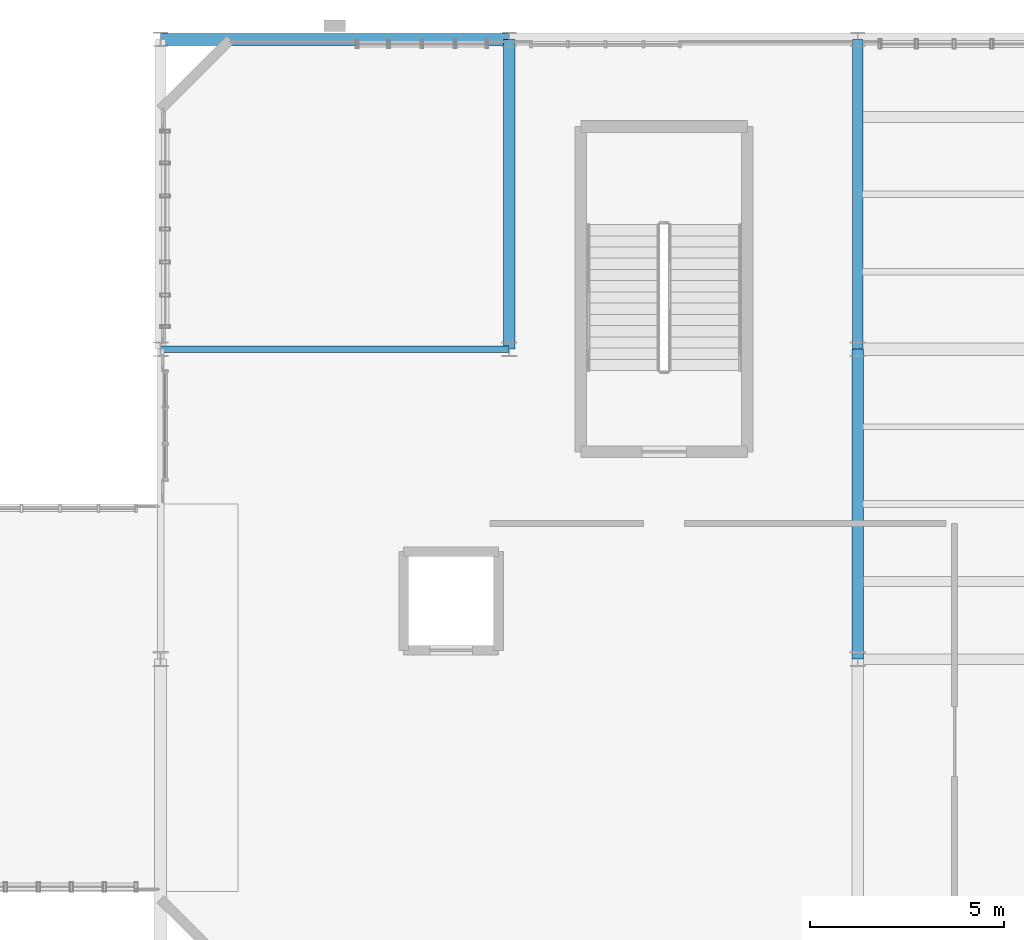
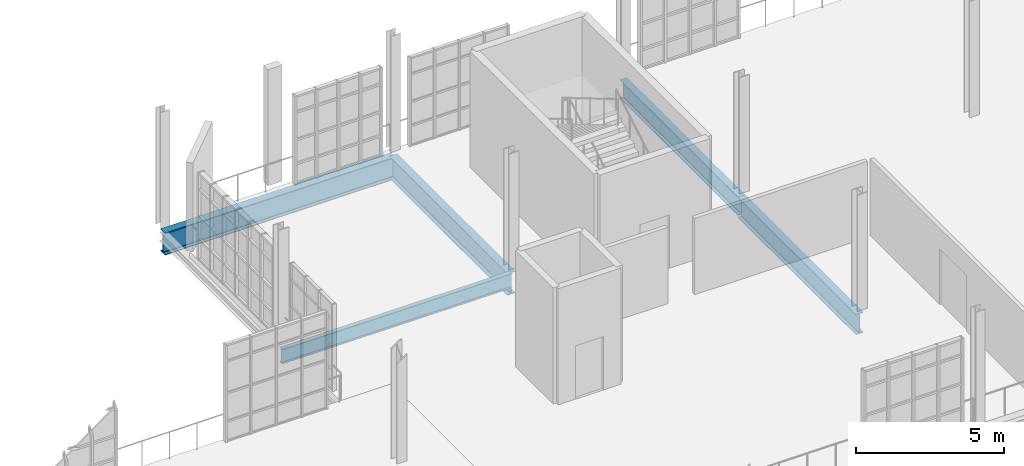
# One storey, part 47 of 122: 5 beams.
"""IFC4 building model written with IfcOpenShell, lengths in metres."""

from ifc_helpers import new_model, si_unit, direction, frame, origin, origin_2d, place, context, subcontext, project, spatial, i_section, extrude, material, material_profile, profile_set, type_object, element, save


model = new_model("IFC4")

# Units and contexts
model_context = context("Model", 3, precision=1e-05, world=origin(), true_north=direction((0.0, 1.0)))
body_context = subcontext(model_context, "Body", "Model", "MODEL_VIEW")
ifc_project = project(units=[si_unit("LENGTHUNIT", "METRE"), si_unit("AREAUNIT", "SQUARE_METRE"), si_unit("VOLUMEUNIT", "CUBIC_METRE"), si_unit("PLANEANGLEUNIT", "RADIAN"), si_unit("MASSUNIT", "GRAM", prefix="KILO"), si_unit("THERMODYNAMICTEMPERATUREUNIT", "KELVIN"), si_unit("POWERUNIT", "WATT")], contexts=[model_context])

# Site, building, storey
site_placement = place(None, origin())
site = spatial("IfcSite", under=ifc_project, at=site_placement, CompositionType="ELEMENT")
building_placement = place(site_placement, origin())
building = spatial("IfcBuilding", under=site, at=building_placement, Name="Zelmaris Science Centre", CompositionType="ELEMENT")
storey_placement = place(building_placement, frame((0.0, 0.0, 10.800048828125)))
storey = spatial("IfcBuildingStorey", under=building, at=storey_placement, Name="L02", CompositionType="ELEMENT", Elevation=10.800048828125)

# Beams
ifc_material = material(Name="Steel ASTM A992 Grade 50", Category="steel")
ifc_material_profile_1 = material_profile(ifc_material, i_section(OverallWidth=0.304931640625, OverallDepth=0.9140625, WebThickness=0.0166015625, FlangeThickness=0.02587890625, FilletRadius=0.02392578125, at=origin_2d()), Name="W36X160")
ifc_profile_set_1 = profile_set([ifc_material_profile_1], Name="Steel ASTM A992 Grade 50")
beam_type_1 = type_object("IfcBeamType", Name="Beam G-04 W36X160", PredefinedType="BEAM", material=ifc_profile_set_1)
beam_1_placement = place(storey_placement, frame((63.0, 80.0, -0.717041015625), z_axis=(0.0, 1.0, 0.0), x_axis=(-1.0, 0.0, 0.0)))
element("IfcBeam", 1, at=beam_1_placement, inside=storey, type_object=beam_type_1, Name="L02 North-south girder 497", PredefinedType="BEAM", context=body_context, shape_type="SweptSolid", body=[
    extrude(i_section(OverallWidth=0.304931640625, OverallDepth=0.9140625, WebThickness=0.0166015625, FlangeThickness=0.02587890625, FilletRadius=0.02392578125, at=origin_2d()), origin(), (0.0, 0.0, 1.0), 8.0),
])
beam_2_placement = place(storey_placement, frame((54.0, 88.0, -0.717041015625), z_axis=(1.0, 0.0, 0.0), x_axis=(0.0, 1.0, 0.0)))
element("IfcBeam", 2, at=beam_2_placement, inside=storey, type_object=beam_type_1, Name="L02 East-west girder 590", PredefinedType="BEAM", context=body_context, shape_type="SweptSolid", body=[
    extrude(i_section(OverallWidth=0.304931640625, OverallDepth=0.9140625, WebThickness=0.0166015625, FlangeThickness=0.02587890625, FilletRadius=0.02392578125, at=origin_2d()), origin(), (0.0, 0.0, 1.0), 9.0),
])
ifc_material_profile_2 = material_profile(ifc_material, i_section(OverallWidth=0.2919921875, OverallDepth=0.841064453125, WebThickness=0.0146484375, FlangeThickness=0.021728515625, FilletRadius=0.02001953125, at=origin_2d()), Name="W33X130")
ifc_profile_set_2 = profile_set([ifc_material_profile_2], Name="Steel ASTM A992 Grade 50")
beam_type_2 = type_object("IfcBeamType", Name="Beam G-07 W33X130", PredefinedType="BEAM", material=ifc_profile_set_2)
beam_3_placement = place(storey_placement, frame((72.0, 72.0, -0.6806640625), z_axis=(0.0, 1.0, 0.0), x_axis=(-1.0, 0.0, 0.0)))
element("IfcBeam", 3, at=beam_3_placement, inside=storey, type_object=beam_type_2, Name="L02 North-south girder 499", PredefinedType="BEAM", context=body_context, shape_type="SweptSolid", body=[
    extrude(i_section(OverallWidth=0.2919921875, OverallDepth=0.841064453125, WebThickness=0.0146484375, FlangeThickness=0.021728515625, FilletRadius=0.02001953125, at=origin_2d()), origin(), (0.0, 0.0, 1.0), 8.0),
])
ifc_material_profile_3 = material_profile(ifc_material, i_section(OverallWidth=0.26708984375, OverallDepth=0.77001953125, WebThickness=0.015625, FlangeThickness=0.025390625, FilletRadius=0.01904296875, at=origin_2d()), Name="W30X132")
ifc_profile_set_3 = profile_set([ifc_material_profile_3], Name="Steel ASTM A992 Grade 50")
beam_type_3 = type_object("IfcBeamType", Name="Beam G-09 W30X132", PredefinedType="BEAM", material=ifc_profile_set_3)
beam_4_placement = place(storey_placement, frame((72.0, 80.0, -0.64501953125), z_axis=(0.0, 1.0, 0.0), x_axis=(-1.0, 0.0, 0.0)))
element("IfcBeam", 4, at=beam_4_placement, inside=storey, type_object=beam_type_3, Name="L02 North-south girder 500", PredefinedType="BEAM", context=body_context, shape_type="SweptSolid", body=[
    extrude(i_section(OverallWidth=0.26708984375, OverallDepth=0.77001953125, WebThickness=0.015625, FlangeThickness=0.025390625, FilletRadius=0.01904296875, at=origin_2d()), origin(), (0.0, 0.0, 1.0), 8.0),
])
ifc_material_profile_4 = material_profile(ifc_material, i_section(OverallWidth=0.177978515625, OverallDepth=0.59912109375, WebThickness=0.010009765625, FlangeThickness=0.0126953125, FilletRadius=0.014892578125, at=origin_2d()), Name="W24X55")
ifc_profile_set_4 = profile_set([ifc_material_profile_4], Name="Steel ASTM A992 Grade 50")
beam_type_4 = type_object("IfcBeamType", Name="Beam G-38 W24X55", PredefinedType="BEAM", material=ifc_profile_set_4)
beam_5_placement = place(storey_placement, frame((54.0, 80.0, -0.5595703125), z_axis=(1.0, 0.0, 0.0), x_axis=(0.0, 1.0, 0.0)))
element("IfcBeam", 5, at=beam_5_placement, inside=storey, type_object=beam_type_4, Name="L02 East-west girder 585", PredefinedType="BEAM", context=body_context, shape_type="SweptSolid", body=[
    extrude(i_section(OverallWidth=0.177978515625, OverallDepth=0.59912109375, WebThickness=0.010009765625, FlangeThickness=0.0126953125, FilletRadius=0.014892578125, at=origin_2d()), origin(), (0.0, 0.0, 1.0), 9.0),
])

save(model, "model.ifc")
